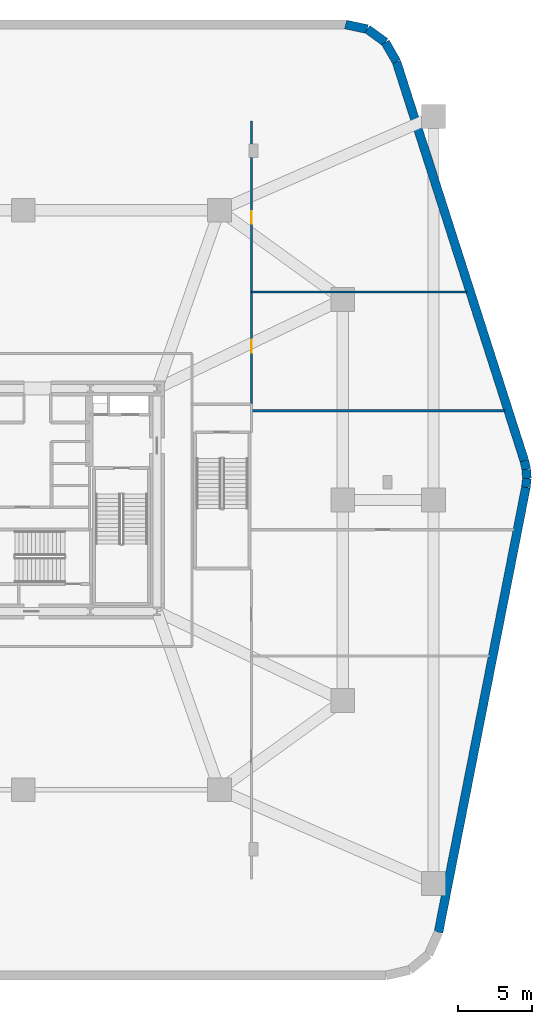
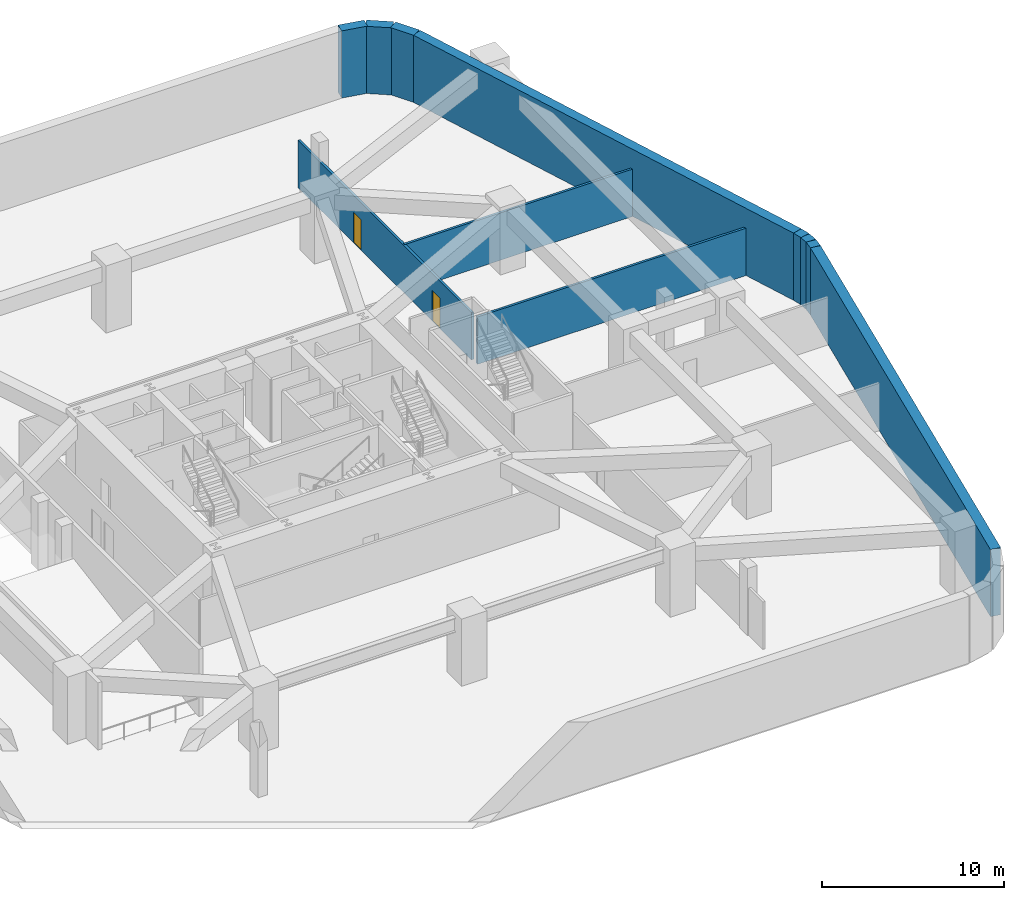
# One storey, part 5 of 9: 11 walls, 2 doors, 2 openings.
"""IFC4 building model written with IfcOpenShell, lengths in metres."""

from ifc_helpers import new_model, si_unit, direction, frame, frame_2d, origin, place, context, subcontext, project, spatial, rectangle, extrude, material, layer, layer_set, type_object, element, fill, save


model = new_model("IFC4")

# Units and contexts
model_context = context("Model", 3, precision=1e-05, world=origin(), true_north=direction((0.0, 1.0)))
body_context = subcontext(model_context, "Body", "Model", "MODEL_VIEW")
ifc_project = project(units=[si_unit("LENGTHUNIT", "METRE"), si_unit("AREAUNIT", "SQUARE_METRE"), si_unit("VOLUMEUNIT", "CUBIC_METRE"), si_unit("PLANEANGLEUNIT", "RADIAN"), si_unit("MASSUNIT", "GRAM", prefix="KILO")], contexts=[model_context])

# Site, building, storey
site_placement = place(None, origin())
site = spatial("IfcSite", under=ifc_project, at=site_placement, CompositionType="ELEMENT")
building_placement = place(site_placement, origin())
building = spatial("IfcBuilding", under=site, at=building_placement, Name="Kilnhurst Terrace Hotel", CompositionType="ELEMENT")
storey_placement = place(building_placement, frame((0.0, 0.0, -4.5)))
storey = spatial("IfcBuildingStorey", under=building, at=storey_placement, Name="B1", CompositionType="ELEMENT", Elevation=-4.5)

# Wall, openings, doors
ifc_material_1 = material(Name="Acoustic Double-Gypsum Corridor Partition Assembly")
ifc_layer_1 = layer(ifc_material_1, 0.14990234375, Name="Acoustic Double-Gypsum Corridor Partition Assembly")
ifc_layer_set_1 = layer_set([ifc_layer_1], Name="Acoustic Double-Gypsum Corridor Partition Assembly")
wall_type_1 = type_object("IfcWallType", Name="WL-COR-150", PredefinedType="PARTITIONING", material=ifc_layer_set_1)
wall_1_placement = place(storey_placement, frame((15.35009765625, 6.4599609375, 0.0), z_axis=(0.0, 0.0, 1.0), x_axis=(0.0, 1.0, 0.0)))
wall_1 = element("IfcWall", 1, at=wall_1_placement, inside=storey, type_object=wall_type_1, Name="B1 Interior Wall WL-B1-EWING-N", PredefinedType="PARTITIONING", context=body_context, shape_type="SweptSolid", body=[
    extrude(rectangle(XDim=19.0400390625, YDim=0.14990234375, at=frame_2d((9.52001953125, 0.0))), origin(), (0.0, 0.0, 1.0), 3.169921875),
])
opening_1_placement = place(wall_1_placement, frame((3.465087890625, 0.0, 0.0)))
opening_1 = element("IfcOpeningElement", 2, at=opening_1_placement, cuts=wall_1, Name="Opening D-60D", PredefinedType="OPENING", context=body_context, shape_type="SweptSolid", body=[
    extrude(rectangle(XDim=0.85009765625, YDim=2.030029296875, at=frame_2d((0.425048828125, 1.01513671875))), frame((0.0, 0.0849609375, 0.0), z_axis=(0.0, -1.0, 0.0), x_axis=(1.0, 0.0, 0.0)), (0.0, 0.0, 1.0), 0.169921875),
])
opening_2_placement = place(wall_1_placement, frame((12.114990234375, 0.0, 0.0)))
opening_2 = element("IfcOpeningElement", 3, at=opening_2_placement, cuts=wall_1, Name="Opening D-60D", PredefinedType="OPENING", context=body_context, shape_type="SweptSolid", body=[
    extrude(rectangle(XDim=0.85009765625, YDim=2.030029296875, at=frame_2d((0.425048828125, 1.01513671875))), frame((0.0, 0.0849609375, 0.0), z_axis=(0.0, -1.0, 0.0), x_axis=(1.0, 0.0, 0.0)), (0.0, 0.0, 1.0), 0.169921875),
])
ifc_material_2 = material(Name="Painted Hollow Metal Steel ASTM A36 Riser Door", Category="steel")
door_type = type_object("IfcDoorType", Name="DR-FD60-850", OperationType="NOTDEFINED", PredefinedType="DOOR", material=ifc_material_2)
door_1_placement = place(opening_1_placement, origin())
door_1 = element("IfcDoor", 4, at=door_1_placement, inside=storey, type_object=door_type, Name="B1 Staff Changing and Locker Bathroom Door", OperationType="SINGLE_SWING_RIGHT", OverallHeight=2.030029296875, OverallWidth=0.85009765625, PredefinedType="DOOR", context=body_context, shape_type="SweptSolid", body=[
    extrude(rectangle(XDim=0.85009765625, YDim=2.030029296875, at=frame_2d((0.425048828125, 1.01513671875))), frame((0.0, 0.02490234375, 0.0), z_axis=(0.0, -1.0, 0.0), x_axis=(1.0, 0.0, 0.0)), (0.0, 0.0, 1.0), 0.050048828125),
])
fill(opening_1, door_1)
door_2_placement = place(opening_2_placement, origin())
door_2 = element("IfcDoor", 5, at=door_2_placement, inside=storey, type_object=door_type, Name="B1 Building Automation and Telecom Headend Room Door", OperationType="SINGLE_SWING_LEFT", OverallHeight=2.030029296875, OverallWidth=0.85009765625, PredefinedType="DOOR", context=body_context, shape_type="SweptSolid", body=[
    extrude(rectangle(XDim=0.85009765625, YDim=2.030029296875, at=frame_2d((0.425048828125, 1.01513671875))), frame((0.0, 0.02490234375, 0.0), z_axis=(0.0, -1.0, 0.0), x_axis=(1.0, 0.0, 0.0)), (0.0, 0.0, 1.0), 0.050048828125),
])
fill(opening_2, door_2)

# Walls
wall_2_placement = place(storey_placement, frame((15.35009765625, 6.0, 0.0), z_axis=(0.0, 0.0, 1.0), x_axis=(1.0, 0.0, 0.0)))
element("IfcWall", 6, at=wall_2_placement, inside=storey, type_object=wall_type_1, Name="B1 Interior Wall WL-B1-EDIV-3", PredefinedType="PARTITIONING", context=body_context, shape_type="SweptSolid", body=[
    extrude(rectangle(XDim=17.054931640625, YDim=0.14990234375, at=frame_2d((8.52734375, 0.0))), origin(), (0.0, 0.0, 1.0), 3.169921875),
])
wall_3_placement = place(storey_placement, frame((15.35009765625, 14.0, 0.0), z_axis=(0.0, 0.0, 1.0), x_axis=(1.0, 0.0, 0.0)))
element("IfcWall", 7, at=wall_3_placement, inside=storey, type_object=wall_type_1, Name="B1 Interior Wall WL-B1-EDIV-4", PredefinedType="PARTITIONING", context=body_context, shape_type="SweptSolid", body=[
    extrude(rectangle(XDim=14.491455078125, YDim=0.14990234375, at=frame_2d((7.24560546875, 0.0))), origin(), (0.0, 0.0, 1.0), 3.169921875),
])
ifc_material_3 = material(Name="Concrete C50/60", Category="concrete")
ifc_layer_2 = layer(ifc_material_3, 0.60009765625, Name="Concrete C50/60")
ifc_layer_set_2 = layer_set([ifc_layer_2], Name="Concrete C50/60")
wall_type_2 = type_object("IfcWallType", Name="WL-RET-600", PredefinedType="SHEAR", material=ifc_layer_set_2)
wall_4_placement = place(storey_placement, frame((27.940673828125, -29.09375, 0.0), z_axis=(0.0, 0.0, 1.0), x_axis=(0.192705549984, 0.981256628515, 0.0)))
element("IfcWall", 8, at=wall_4_placement, inside=storey, type_object=wall_type_2, Name="B1 Perimeter Shear Retaining Wall 8", PredefinedType="SHEAR", context=body_context, shape_type="SweptSolid", body=[
    extrude(rectangle(XDim=30.51611328125, YDim=0.60009765625, at=frame_2d((15.258056640625, 0.0))), origin(), (0.0, 0.0, 1.0), 4.5),
])
wall_5_placement = place(storey_placement, frame((33.8212890625, 0.850341796875, 0.0), z_axis=(0.0, 0.0, 1.0), x_axis=(0.109899357688, 0.993942720271, 0.0)))
element("IfcWall", 9, at=wall_5_placement, inside=storey, type_object=wall_type_2, Name="B1 Perimeter Shear Retaining Wall 9", PredefinedType="SHEAR", context=body_context, shape_type="SweptSolid", body=[
    extrude(rectangle(XDim=0.604248046875, YDim=0.60009765625, at=frame_2d((0.30224609375, 0.0))), origin(), (0.0, 0.0, 1.0), 4.5),
])
for number, where, z_axis, x_axis, name in (
    (10, (33.8876953125, 1.450927734375, 0.0), (0.0, 0.0, 1.0), (-0.058200771406, 0.998304898419, 0.0), "B1 Perimeter Shear Retaining Wall 10"),
    (11, (33.8525390625, 2.053955078125, 0.0), (0.0, 0.0, 1.0), (-0.224328116051, 0.97451367171, 0.0), "B1 Perimeter Shear Retaining Wall 11"),
):
    element("IfcWall", number, at=place(storey_placement, frame(where, z_axis=z_axis, x_axis=x_axis)), inside=storey, type_object=wall_type_2, Name=name, PredefinedType="SHEAR", context=body_context, shape_type="SweptSolid", body=[
        extrude(rectangle(XDim=0.60400390625, YDim=0.60009765625, at=frame_2d((0.302001953125, 0.0))), origin(), (0.0, 0.0, 1.0), 4.5),
    ])
wall_6_placement = place(storey_placement, frame((33.717041015625, 2.642578125, 0.0), z_axis=(0.0, 0.0, 1.0), x_axis=(-0.305147622554, 0.952305060603, 0.0)))
element("IfcWall", 12, at=wall_6_placement, inside=storey, type_object=wall_type_2, Name="B1 Perimeter Shear Retaining Wall 12", PredefinedType="SHEAR", context=body_context, shape_type="SweptSolid", body=[
    extrude(rectangle(XDim=28.200927734375, YDim=0.60009765625, at=frame_2d((14.1005859375, 0.0))), origin(), (0.0, 0.0, 1.0), 4.5),
])
for number, where, z_axis, x_axis, name in (
    (13, (25.111572265625, 29.49853515625, 0.0), (0.0, 0.0, 1.0), (-0.497154066909, 0.867662280934, 0.0), "B1 Perimeter Shear Retaining Wall 13"),
    (14, (24.364990234375, 30.801513671875, 0.0), (0.0, 0.0, 1.0), (-0.807736541804, 0.58954361928, 0.0), "B1 Perimeter Shear Retaining Wall 14"),
    (15, (23.152099609375, 31.686767578125, 0.0), (0.0, 0.0, 1.0), (-0.978006545164, 0.208574201703, 0.0), "B1 Perimeter Shear Retaining Wall 15"),
):
    element("IfcWall", number, at=place(storey_placement, frame(where, z_axis=z_axis, x_axis=x_axis)), inside=storey, type_object=wall_type_2, Name=name, PredefinedType="SHEAR", context=body_context, shape_type="SweptSolid", body=[
        extrude(rectangle(XDim=1.501708984375, YDim=0.60009765625, at=frame_2d((0.7509765625, 0.0))), origin(), (0.0, 0.0, 1.0), 4.5),
    ])

save(model, "model.ifc")
